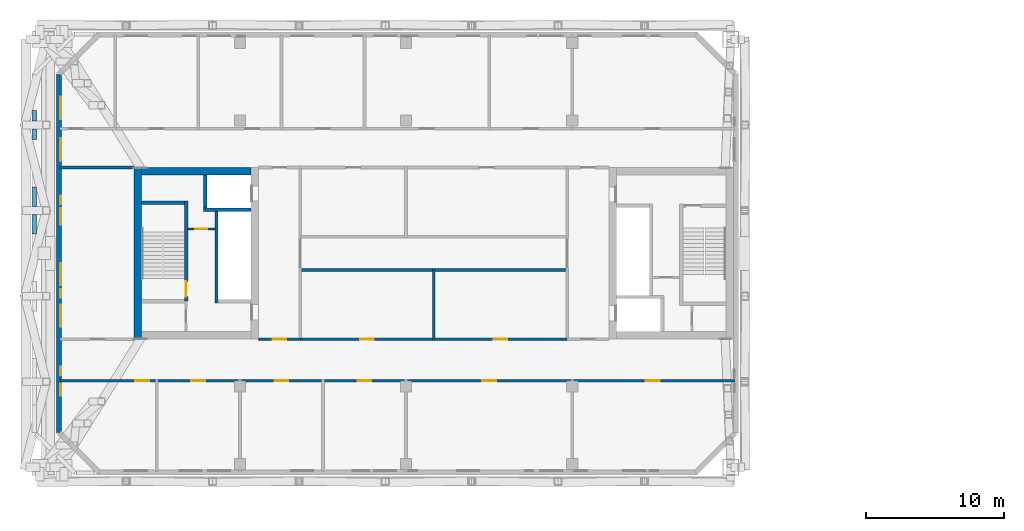
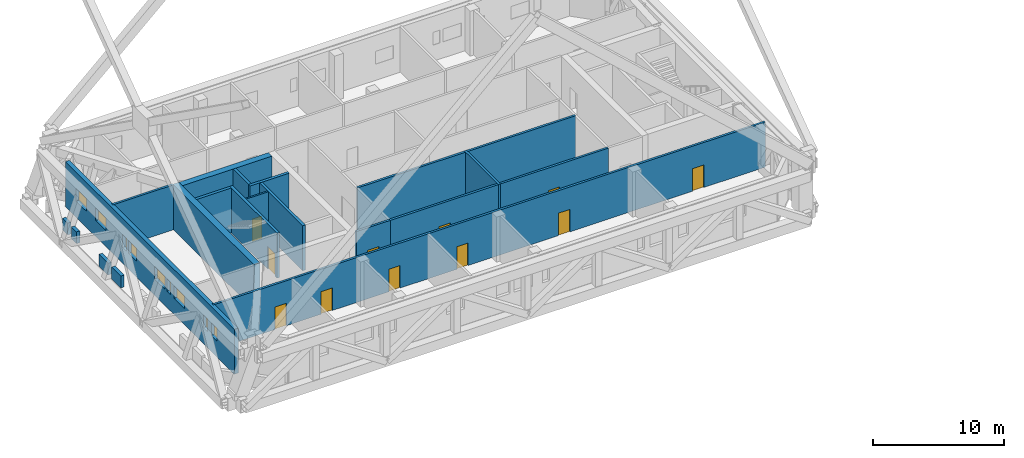
# One storey, part 8 of 22: 19 walls, 11 doors, 9 windows, 20 openings.
"""IFC4 building model written with IfcOpenShell, lengths in metres."""

from ifc_helpers import new_model, si_unit, direction, frame, frame_2d, origin, place, context, subcontext, project, spatial, rectangle, extrude, material, layer, layer_set, type_object, element, fill, save


model = new_model("IFC4")

# Units and contexts
model_context = context("Model", 3, precision=1e-05, world=origin(), true_north=direction((0.0, 1.0)))
body_context = subcontext(model_context, "Body", "Model", "MODEL_VIEW")
ifc_project = project(units=[si_unit("LENGTHUNIT", "METRE"), si_unit("AREAUNIT", "SQUARE_METRE"), si_unit("VOLUMEUNIT", "CUBIC_METRE"), si_unit("PLANEANGLEUNIT", "RADIAN"), si_unit("MASSUNIT", "GRAM", prefix="KILO")], contexts=[model_context])

# Site, building, storey
site_placement = place(None, origin())
site = spatial("IfcSite", under=ifc_project, at=site_placement, CompositionType="ELEMENT")
building_placement = place(site_placement, origin())
building = spatial("IfcBuilding", under=site, at=building_placement, Name="Tuart Gate Housing", CompositionType="ELEMENT")
storey_placement = place(building_placement, frame((0.0, 0.0, 115.0)))
storey = spatial("IfcBuildingStorey", under=building, at=storey_placement, Name="L32", CompositionType="ELEMENT", Elevation=115.0)

# Walls
ifc_material_1 = material(Name="Brick", Category="masonry")
ifc_layer_1 = layer(ifc_material_1, 0.300048828125)
ifc_layer_set_1 = layer_set([ifc_layer_1], Name="Brick parapet wall 300")
wall_type_1 = type_object("IfcWallType", Name="Brick parapet wall 300", PredefinedType="PARAPET", material=ifc_layer_set_1)
for number, where, z_axis, x_axis, name in (
    (1, (25.14990234375, 80.328369140625, 0.0), (0.0, 0.0, 1.0), (0.0, -1.0, 0.0), "Roof parapet A 3"),
    (2, (25.14990234375, 78.987060546875, 0.0), (0.0, 0.0, 1.0), (0.0, -1.0, 0.0), "Roof parapet A 3"),
):
    element("IfcWall", number, at=place(storey_placement, frame(where, z_axis=z_axis, x_axis=x_axis)), inside=storey, type_object=wall_type_1, Name=name, PredefinedType="PARAPET", context=body_context, shape_type="SweptSolid", body=[
        extrude(rectangle(XDim=0.775390625, YDim=0.300048828125, at=frame_2d((0.3876953125, 0.0))), origin(), (0.0, 0.0, 1.0), 1.10009765625),
    ])
for number, where, z_axis, x_axis, name in (
    (3, (25.14990234375, 74.776123046875, 0.0), (0.0, 0.0, 1.0), (0.0, -1.0, 0.0), "Roof parapet A 3"),
    (4, (25.14990234375, 72.806884765625, 0.0), (0.0, 0.0, 1.0), (0.0, -1.0, 0.0), "Roof parapet A 3"),
):
    element("IfcWall", number, at=place(storey_placement, frame(where, z_axis=z_axis, x_axis=x_axis)), inside=storey, type_object=wall_type_1, Name=name, PredefinedType="PARAPET", context=body_context, shape_type="SweptSolid", body=[
        extrude(rectangle(XDim=1.403076171875, YDim=0.300048828125, at=frame_2d((0.70166015625, 0.0))), origin(), (0.0, 0.0, 1.0), 1.10009765625),
    ])

# Wall, openings, windows
ifc_material_2 = material(Name="Brick", Category="masonry")
ifc_layer_2 = layer(ifc_material_2, 0.360107421875)
ifc_layer_set_2 = layer_set([ifc_layer_2], Name="Brick pier and spandrel wall 360")
wall_type_2 = type_object("IfcWallType", Name="Brick pier and spandrel wall 360", PredefinedType="STANDARD", material=ifc_layer_set_2)
wall_1_placement = place(storey_placement, frame((26.929931640625, 82.92529296875, 0.0), z_axis=(0.0, 0.0, 1.0), x_axis=(0.0, -1.0, 0.0)))
wall_1 = element("IfcWall", 5, at=wall_1_placement, inside=storey, type_object=wall_type_2, Name="External wall A-W L32", PredefinedType="STANDARD", context=body_context, shape_type="SweptSolid", body=[
    extrude(rectangle(XDim=25.850830078125, YDim=0.360107421875, at=frame_2d((12.92529296875, 0.0))), origin(), (0.0, 0.0, 1.0), 4.199951171875),
])
opening_1_placement = place(wall_1_placement, frame((1.62548828125, 0.0, 1.5)))
opening_1 = element("IfcOpeningElement", 6, at=opening_1_placement, cuts=wall_1, Name="Opening W3", PredefinedType="OPENING", context=body_context, shape_type="SweptSolid", body=[
    extrude(rectangle(XDim=1.60009765625, YDim=1.199951171875, at=frame_2d((0.800048828125, 0.60009765625))), frame((0.0, 0.18994140625, 0.0), z_axis=(0.0, -1.0, 0.0), x_axis=(1.0, 0.0, 0.0)), (0.0, 0.0, 1.0), 0.380126953125),
])
opening_2_placement = place(wall_1_placement, frame((4.62548828125, 0.0, 1.5)))
opening_2 = element("IfcOpeningElement", 7, at=opening_2_placement, cuts=wall_1, Name="Opening W3", PredefinedType="OPENING", context=body_context, shape_type="SweptSolid", body=[
    extrude(rectangle(XDim=1.60009765625, YDim=1.199951171875, at=frame_2d((0.800048828125, 0.60009765625))), frame((0.0, 0.18994140625, 0.0), z_axis=(0.0, -1.0, 0.0), x_axis=(1.0, 0.0, 0.0)), (0.0, 0.0, 1.0), 0.380126953125),
])
opening_3_placement = place(wall_1_placement, frame((8.775390625, 0.0, 1.5)))
opening_3 = element("IfcOpeningElement", 8, at=opening_3_placement, cuts=wall_1, Name="Opening W3C", PredefinedType="OPENING", context=body_context, shape_type="SweptSolid", body=[
    extrude(rectangle(XDim=0.60009765625, YDim=1.199951171875, at=frame_2d((0.300048828125, 0.60009765625))), frame((0.0, 0.18994140625, 0.0), z_axis=(0.0, -1.0, 0.0), x_axis=(1.0, 0.0, 0.0)), (0.0, 0.0, 1.0), 0.380126953125),
])
opening_4_placement = place(wall_1_placement, frame((9.67529296875, 0.0, 1.5)))
opening_4 = element("IfcOpeningElement", 9, at=opening_4_placement, cuts=wall_1, Name="Opening W3A", PredefinedType="OPENING", context=body_context, shape_type="SweptSolid", body=[
    extrude(rectangle(XDim=1.199951171875, YDim=1.199951171875, at=frame_2d((0.60009765625, 0.60009765625))), frame((0.0, 0.18994140625, 0.0), z_axis=(0.0, -1.0, 0.0), x_axis=(1.0, 0.0, 0.0)), (0.0, 0.0, 1.0), 0.380126953125),
])
opening_5_placement = place(wall_1_placement, frame((13.62548828125, 0.0, 1.5)))
opening_5 = element("IfcOpeningElement", 10, at=opening_5_placement, cuts=wall_1, Name="Opening W3", PredefinedType="OPENING", context=body_context, shape_type="SweptSolid", body=[
    extrude(rectangle(XDim=1.60009765625, YDim=1.199951171875, at=frame_2d((0.800048828125, 0.60009765625))), frame((0.0, 0.18994140625, 0.0), z_axis=(0.0, -1.0, 0.0), x_axis=(1.0, 0.0, 0.0)), (0.0, 0.0, 1.0), 0.380126953125),
])
opening_6_placement = place(wall_1_placement, frame((16.62548828125, 0.0, 1.5)))
opening_6 = element("IfcOpeningElement", 11, at=opening_6_placement, cuts=wall_1, Name="Opening W3", PredefinedType="OPENING", context=body_context, shape_type="SweptSolid", body=[
    extrude(rectangle(XDim=1.60009765625, YDim=1.199951171875, at=frame_2d((0.800048828125, 0.60009765625))), frame((0.0, 0.18994140625, 0.0), z_axis=(0.0, -1.0, 0.0), x_axis=(1.0, 0.0, 0.0)), (0.0, 0.0, 1.0), 0.380126953125),
])
opening_7_placement = place(wall_1_placement, frame((21.12548828125, 0.0, 1.5)))
opening_7 = element("IfcOpeningElement", 12, at=opening_7_placement, cuts=wall_1, Name="Opening W3C", PredefinedType="OPENING", context=body_context, shape_type="SweptSolid", body=[
    extrude(rectangle(XDim=0.60009765625, YDim=1.199951171875, at=frame_2d((0.300048828125, 0.60009765625))), frame((0.0, 0.18994140625, 0.0), z_axis=(0.0, -1.0, 0.0), x_axis=(1.0, 0.0, 0.0)), (0.0, 0.0, 1.0), 0.380126953125),
])
opening_8_placement = place(wall_1_placement, frame((22.325439453125, 0.0, 1.5)))
opening_8 = element("IfcOpeningElement", 13, at=opening_8_placement, cuts=wall_1, Name="Opening W3B", PredefinedType="OPENING", context=body_context, shape_type="SweptSolid", body=[
    extrude(rectangle(XDim=0.89990234375, YDim=1.199951171875, at=frame_2d((0.449951171875, 0.60009765625))), frame((0.0, 0.18994140625, 0.0), z_axis=(0.0, -1.0, 0.0), x_axis=(1.0, 0.0, 0.0)), (0.0, 0.0, 1.0), 0.380126953125),
])
opening_9_placement = place(wall_1_placement, frame((15.525390625, 0.0, 1.5)))
opening_9 = element("IfcOpeningElement", 14, at=opening_9_placement, cuts=wall_1, Name="Opening W3C", PredefinedType="OPENING", context=body_context, shape_type="SweptSolid", body=[
    extrude(rectangle(XDim=0.60009765625, YDim=1.199951171875, at=frame_2d((0.300048828125, 0.60009765625))), frame((0.0, 0.18994140625, 0.0), z_axis=(0.0, -1.0, 0.0), x_axis=(1.0, 0.0, 0.0)), (0.0, 0.0, 1.0), 0.380126953125),
])
ifc_material_3 = material(Name="Aluminium louvre blades", Category="aluminium")
window_type_1 = type_object("IfcWindowType", Name="Louvre window 1200 x 1200", PartitioningType="DOUBLE_PANEL_HORIZONTAL", PredefinedType="WINDOW", material=ifc_material_3)
window_1_placement = place(opening_4_placement, origin())
window_1 = element("IfcWindow", 15, at=window_1_placement, inside=storey, type_object=window_type_1, Name="Louvre W3A", OverallHeight=1.199951171875, OverallWidth=1.199951171875, PartitioningType="DOUBLE_PANEL_HORIZONTAL", PredefinedType="WINDOW", context=body_context, shape_type="SweptSolid", body=[
    extrude(rectangle(XDim=1.199951171875, YDim=1.199951171875, at=frame_2d((0.60009765625, 0.60009765625))), frame((0.0, 0.150146484375, 0.0), z_axis=(0.0, -1.0, 0.0), x_axis=(1.0, 0.0, 0.0)), (0.0, 0.0, 1.0), 0.06005859375),
])
fill(opening_4, window_1)
ifc_material_4 = material(Name="Aluminium louvre blades", Category="aluminium")
window_type_2 = type_object("IfcWindowType", Name="Louvre window 1600 x 1200", PartitioningType="DOUBLE_PANEL_HORIZONTAL", PredefinedType="WINDOW", material=ifc_material_4)
window_2_placement = place(opening_1_placement, origin())
window_2 = element("IfcWindow", 16, at=window_2_placement, inside=storey, type_object=window_type_2, Name="Louvre W3", OverallHeight=1.199951171875, OverallWidth=1.60009765625, PartitioningType="DOUBLE_PANEL_HORIZONTAL", PredefinedType="WINDOW", context=body_context, shape_type="SweptSolid", body=[
    extrude(rectangle(XDim=1.60009765625, YDim=1.199951171875, at=frame_2d((0.800048828125, 0.60009765625))), frame((0.0, 0.150146484375, 0.0), z_axis=(0.0, -1.0, 0.0), x_axis=(1.0, 0.0, 0.0)), (0.0, 0.0, 1.0), 0.06005859375),
])
fill(opening_1, window_2)
window_3_placement = place(opening_2_placement, origin())
window_3 = element("IfcWindow", 17, at=window_3_placement, inside=storey, type_object=window_type_2, Name="Louvre W3", OverallHeight=1.199951171875, OverallWidth=1.60009765625, PartitioningType="DOUBLE_PANEL_HORIZONTAL", PredefinedType="WINDOW", context=body_context, shape_type="SweptSolid", body=[
    extrude(rectangle(XDim=1.60009765625, YDim=1.199951171875, at=frame_2d((0.800048828125, 0.60009765625))), frame((0.0, 0.150146484375, 0.0), z_axis=(0.0, -1.0, 0.0), x_axis=(1.0, 0.0, 0.0)), (0.0, 0.0, 1.0), 0.06005859375),
])
fill(opening_2, window_3)
window_4_placement = place(opening_5_placement, origin())
window_4 = element("IfcWindow", 18, at=window_4_placement, inside=storey, type_object=window_type_2, Name="Louvre W3", OverallHeight=1.199951171875, OverallWidth=1.60009765625, PartitioningType="DOUBLE_PANEL_HORIZONTAL", PredefinedType="WINDOW", context=body_context, shape_type="SweptSolid", body=[
    extrude(rectangle(XDim=1.60009765625, YDim=1.199951171875, at=frame_2d((0.800048828125, 0.60009765625))), frame((0.0, 0.150146484375, 0.0), z_axis=(0.0, -1.0, 0.0), x_axis=(1.0, 0.0, 0.0)), (0.0, 0.0, 1.0), 0.06005859375),
])
fill(opening_5, window_4)
window_5_placement = place(opening_6_placement, origin())
window_5 = element("IfcWindow", 19, at=window_5_placement, inside=storey, type_object=window_type_2, Name="Louvre W3", OverallHeight=1.199951171875, OverallWidth=1.60009765625, PartitioningType="DOUBLE_PANEL_HORIZONTAL", PredefinedType="WINDOW", context=body_context, shape_type="SweptSolid", body=[
    extrude(rectangle(XDim=1.60009765625, YDim=1.199951171875, at=frame_2d((0.800048828125, 0.60009765625))), frame((0.0, 0.150146484375, 0.0), z_axis=(0.0, -1.0, 0.0), x_axis=(1.0, 0.0, 0.0)), (0.0, 0.0, 1.0), 0.06005859375),
])
fill(opening_6, window_5)
ifc_material_5 = material(Name="Aluminium louvre blades", Category="aluminium")
window_type_3 = type_object("IfcWindowType", Name="Louvre window 600 x 1200", PartitioningType="DOUBLE_PANEL_HORIZONTAL", PredefinedType="WINDOW", material=ifc_material_5)
window_6_placement = place(opening_3_placement, origin())
window_6 = element("IfcWindow", 20, at=window_6_placement, inside=storey, type_object=window_type_3, Name="Louvre W3C", OverallHeight=1.199951171875, OverallWidth=0.60009765625, PartitioningType="DOUBLE_PANEL_HORIZONTAL", PredefinedType="WINDOW", context=body_context, shape_type="SweptSolid", body=[
    extrude(rectangle(XDim=0.60009765625, YDim=1.199951171875, at=frame_2d((0.300048828125, 0.60009765625))), frame((0.0, 0.150146484375, 0.0), z_axis=(0.0, -1.0, 0.0), x_axis=(1.0, 0.0, 0.0)), (0.0, 0.0, 1.0), 0.06005859375),
])
fill(opening_3, window_6)
window_7_placement = place(opening_7_placement, origin())
window_7 = element("IfcWindow", 21, at=window_7_placement, inside=storey, type_object=window_type_3, Name="Louvre W3C", OverallHeight=1.199951171875, OverallWidth=0.60009765625, PartitioningType="DOUBLE_PANEL_HORIZONTAL", PredefinedType="WINDOW", context=body_context, shape_type="SweptSolid", body=[
    extrude(rectangle(XDim=0.60009765625, YDim=1.199951171875, at=frame_2d((0.300048828125, 0.60009765625))), frame((0.0, 0.150146484375, 0.0), z_axis=(0.0, -1.0, 0.0), x_axis=(1.0, 0.0, 0.0)), (0.0, 0.0, 1.0), 0.06005859375),
])
fill(opening_7, window_7)
window_8_placement = place(opening_9_placement, origin())
window_8 = element("IfcWindow", 22, at=window_8_placement, inside=storey, type_object=window_type_3, Name="Louvre W3C", OverallHeight=1.199951171875, OverallWidth=0.60009765625, PartitioningType="DOUBLE_PANEL_HORIZONTAL", PredefinedType="WINDOW", context=body_context, shape_type="SweptSolid", body=[
    extrude(rectangle(XDim=0.60009765625, YDim=1.199951171875, at=frame_2d((0.300048828125, 0.60009765625))), frame((0.0, 0.150146484375, 0.0), z_axis=(0.0, -1.0, 0.0), x_axis=(1.0, 0.0, 0.0)), (0.0, 0.0, 1.0), 0.06005859375),
])
fill(opening_9, window_8)
ifc_material_6 = material(Name="Aluminium louvre blades", Category="aluminium")
window_type_4 = type_object("IfcWindowType", Name="Louvre window 900 x 1200", PartitioningType="DOUBLE_PANEL_HORIZONTAL", PredefinedType="WINDOW", material=ifc_material_6)
window_9_placement = place(opening_8_placement, origin())
window_9 = element("IfcWindow", 23, at=window_9_placement, inside=storey, type_object=window_type_4, Name="Louvre W3B", OverallHeight=1.199951171875, OverallWidth=0.89990234375, PartitioningType="DOUBLE_PANEL_HORIZONTAL", PredefinedType="WINDOW", context=body_context, shape_type="SweptSolid", body=[
    extrude(rectangle(XDim=0.89990234375, YDim=1.199951171875, at=frame_2d((0.449951171875, 0.60009765625))), frame((0.0, 0.150146484375, 0.0), z_axis=(0.0, -1.0, 0.0), x_axis=(1.0, 0.0, 0.0)), (0.0, 0.0, 1.0), 0.06005859375),
])
fill(opening_8, window_9)

# Wall, opening, door
ifc_material_7 = material(Name="Plasterboard partition")
ifc_layer_3 = layer(ifc_material_7, 0.14990234375)
ifc_layer_set_3 = layer_set([ifc_layer_3], Name="Core partition 150")
wall_type_3 = type_object("IfcWallType", Name="Core partition 150", PredefinedType="PARTITIONING", material=ifc_layer_set_3)
wall_2_placement = place(storey_placement, frame((38.18505859375, 71.75, 0.0), z_axis=(0.0, 0.0, 1.0), x_axis=(-1.0, 0.0, 0.0)))
wall_2 = element("IfcWall", 24, at=wall_2_placement, inside=storey, type_object=wall_type_3, Name="Core partition AK.3", PredefinedType="PARTITIONING", context=body_context, shape_type="SweptSolid", body=[
    extrude(rectangle(XDim=1.949951171875, YDim=0.14990234375, at=frame_2d((0.97509765625, 0.0))), origin(), (0.0, 0.0, 1.0), 4.199951171875),
])
opening_10_placement = place(wall_2_placement, frame((0.550048828125, 0.0, 0.0)))
opening_10 = element("IfcOpeningElement", 25, at=opening_10_placement, cuts=wall_2, Name="Opening D3388", PredefinedType="OPENING", context=body_context, shape_type="SweptSolid", body=[
    extrude(rectangle(XDim=0.85009765625, YDim=2.10009765625, at=frame_2d((0.425048828125, 1.050048828125))), frame((0.0, 0.0849609375, 0.0), z_axis=(0.0, -1.0, 0.0), x_axis=(1.0, 0.0, 0.0)), (0.0, 0.0, 1.0), 0.169921875),
])
ifc_material_8 = material(Name="Steel fire door", Category="steel")
door_type_1 = type_object("IfcDoorType", Name="Riser door 850 x 2100 RH", OperationType="SINGLE_SWING_RIGHT", PredefinedType="DOOR", material=ifc_material_8)
door_1_placement = place(opening_10_placement, frame((0.85009765625, 0.0, 0.0), z_axis=(0.0, 0.0, 1.0), x_axis=(-1.0, 0.0, 0.0)))
door_1 = element("IfcDoor", 26, at=door_1_placement, inside=storey, type_object=door_type_1, Name="Service room door AK.E1", OperationType="SINGLE_SWING_RIGHT", OverallHeight=2.10009765625, OverallWidth=0.85009765625, PredefinedType="DOOR", context=body_context, shape_type="SweptSolid", body=[
    extrude(rectangle(XDim=0.85009765625, YDim=2.10009765625, at=frame_2d((0.425048828125, 1.050048828125))), frame((0.0, 0.025146484375, 0.0), z_axis=(0.0, -1.0, 0.0), x_axis=(1.0, 0.0, 0.0)), (0.0, 0.0, 1.0), 0.050048828125),
])
fill(opening_10, door_1)

# Walls
ifc_material_9 = material(Name="Concrete C50", Category="concrete")
ifc_layer_4 = layer(ifc_material_9, 0.25)
ifc_layer_set_4 = layer_set([ifc_layer_4], Name="Core wall 250 C50")
wall_type_4 = type_object("IfcWallType", Name="Core wall 250 C50", PredefinedType="SHEAR", material=ifc_layer_set_4)
wall_3_placement = place(storey_placement, frame((35.985107421875, 73.64990234375, 0.0), z_axis=(0.0, 0.0, 1.0), x_axis=(-1.0, 0.0, 0.0)))
element("IfcWall", 27, at=wall_3_placement, inside=storey, type_object=wall_type_4, Name="Core wall AK.1", PredefinedType="SHEAR", context=body_context, shape_type="SweptSolid", body=[
    extrude(rectangle(XDim=3.0751953125, YDim=0.25, at=frame_2d((1.53759765625, 0.0))), origin(), (0.0, 0.0, 1.0), 4.199951171875),
])
wall_4_placement = place(storey_placement, frame((40.81005859375, 73.14990234375, 0.0), z_axis=(0.0, 0.0, 1.0), x_axis=(-1.0, 0.0, 0.0)))
element("IfcWall", 28, at=wall_4_placement, inside=storey, type_object=wall_type_4, Name="Core wall AK.2", PredefinedType="SHEAR", context=body_context, shape_type="SweptSolid", body=[
    extrude(rectangle(XDim=3.445068359375, YDim=0.25, at=frame_2d((1.72265625, 0.0))), origin(), (0.0, 0.0, 1.0), 4.199951171875),
])
wall_5_placement = place(storey_placement, frame((38.31005859375, 73.02490234375, 0.0), z_axis=(0.0, 0.0, 1.0), x_axis=(0.0, -1.0, 0.0)))
element("IfcWall", 29, at=wall_5_placement, inside=storey, type_object=wall_type_4, Name="Core wall AK.6", PredefinedType="SHEAR", context=body_context, shape_type="SweptSolid", body=[
    extrude(rectangle(XDim=6.599853515625, YDim=0.25, at=frame_2d((3.2998046875, 0.0))), origin(), (0.0, 0.0, 1.0), 4.199951171875),
])
wall_6_placement = place(storey_placement, frame((37.489990234375, 75.64990234375, 0.0), z_axis=(0.0, 0.0, 1.0), x_axis=(0.0, -1.0, 0.0)))
element("IfcWall", 30, at=wall_6_placement, inside=storey, type_object=wall_type_4, Name="Core wall AK.7", PredefinedType="SHEAR", context=body_context, shape_type="SweptSolid", body=[
    extrude(rectangle(XDim=2.375, YDim=0.25, at=frame_2d((1.1875, 0.0))), origin(), (0.0, 0.0, 1.0), 4.199951171875),
])

# Wall, opening, door
wall_7_placement = place(storey_placement, frame((36.110107421875, 73.77490234375, 0.0), z_axis=(0.0, 0.0, 1.0), x_axis=(0.0, -1.0, 0.0)))
wall_7 = element("IfcWall", 31, at=wall_7_placement, inside=storey, type_object=wall_type_4, Name="Core wall AK.8", PredefinedType="SHEAR", context=body_context, shape_type="SweptSolid", body=[
    extrude(rectangle(XDim=7.224853515625, YDim=0.25, at=frame_2d((3.6123046875, 0.0))), origin(), (0.0, 0.0, 1.0), 4.199951171875),
])
opening_11_placement = place(wall_7_placement, frame((5.800048828125, 0.0, 0.0)))
opening_11 = element("IfcOpeningElement", 32, at=opening_11_placement, cuts=wall_7, Name="Opening D3389", PredefinedType="OPENING", context=body_context, shape_type="SweptSolid", body=[
    extrude(rectangle(XDim=1.10009765625, YDim=2.10009765625, at=frame_2d((0.550048828125, 1.050048828125))), frame((0.0, 0.135009765625, 0.0), z_axis=(0.0, -1.0, 0.0), x_axis=(1.0, 0.0, 0.0)), (0.0, 0.0, 1.0), 0.27001953125),
])
ifc_material_10 = material(Name="Steel fire door", Category="steel")
door_type_2 = type_object("IfcDoorType", Name="Stair door 1100 x 2100", OperationType="SINGLE_SWING_LEFT", PredefinedType="DOOR", material=ifc_material_10)
door_2_placement = place(opening_11_placement, frame((1.10009765625, 0.0, 0.0), z_axis=(0.0, 0.0, 1.0), x_axis=(-1.0, 0.0, 0.0)))
door_2 = element("IfcDoor", 33, at=door_2_placement, inside=storey, type_object=door_type_2, Name="Stair door AK.SD", OperationType="SINGLE_SWING_LEFT", OverallHeight=2.10009765625, OverallWidth=1.10009765625, PredefinedType="DOOR", context=body_context, shape_type="SweptSolid", body=[
    extrude(rectangle(XDim=1.10009765625, YDim=2.10009765625, at=frame_2d((0.550048828125, 1.050048828125))), frame((0.0, 0.025146484375, 0.0), z_axis=(0.0, -1.0, 0.0), x_axis=(1.0, 0.0, 0.0)), (0.0, 0.0, 1.0), 0.050048828125),
])
fill(opening_11, door_2)

# Walls
ifc_material_11 = material(Name="Concrete C50", Category="concrete")
ifc_layer_5 = layer(ifc_material_11, 0.550048828125)
ifc_layer_set_5 = layer_set([ifc_layer_5], Name="Core wall 550 C50")
wall_type_5 = type_object("IfcWallType", Name="Core wall 550 C50", PredefinedType="SHEAR", material=ifc_layer_set_5)
wall_8_placement = place(storey_placement, frame((32.635009765625, 76.199951171875, 0.0), z_axis=(0.0, 0.0, 1.0), x_axis=(0.0, -1.0, 0.0)))
element("IfcWall", 34, at=wall_8_placement, inside=storey, type_object=wall_type_5, Name="Core wall AK back", PredefinedType="SHEAR", context=body_context, shape_type="SweptSolid", body=[
    extrude(rectangle(XDim=12.39990234375, YDim=0.550048828125, at=frame_2d((6.199951171875, 0.0))), origin(), (0.0, 0.0, 1.0), 4.199951171875),
])
wall_9_placement = place(storey_placement, frame((40.81005859375, 75.925048828125, 0.0), z_axis=(0.0, 0.0, 1.0), x_axis=(-1.0, 0.0, 0.0)))
element("IfcWall", 35, at=wall_9_placement, inside=storey, type_object=wall_type_5, Name="Core wall AK south", PredefinedType="SHEAR", context=body_context, shape_type="SweptSolid", body=[
    extrude(rectangle(XDim=7.900146484375, YDim=0.550048828125, at=frame_2d((3.9501953125, 0.0))), origin(), (0.0, 0.0, 1.0), 4.199951171875),
])

# Wall, openings, doors
ifc_material_12 = material(Name="Concrete masonry 15 MPa", Category="masonry")
ifc_layer_6 = layer(ifc_material_12, 0.199951171875)
ifc_layer_set_6 = layer_set([ifc_layer_6], Name="Enclosure wall masonry 200")
wall_type_6 = type_object("IfcWallType", Name="Enclosure wall masonry 200", PredefinedType="PARTITIONING", material=ifc_layer_set_6)
wall_10_placement = place(storey_placement, frame((26.989990234375, 60.800048828125, 0.0), z_axis=(0.0, 0.0, 1.0), x_axis=(1.0, 0.0, 0.0)))
wall_10 = element("IfcWall", 36, at=wall_10_placement, inside=storey, type_object=wall_type_6, Name="Enclosure wall masonry 200", PredefinedType="PARTITIONING", context=body_context, shape_type="SweptSolid", body=[
    extrude(rectangle(XDim=48.77001953125, YDim=0.199951171875, at=frame_2d((24.385009765625, 0.0))), origin(), (0.0, 0.0, 1.0), 4.199951171875),
])
opening_12_placement = place(wall_10_placement, frame((5.465087890625, 0.0, 0.0)))
opening_12 = element("IfcOpeningElement", 37, at=opening_12_placement, cuts=wall_10, Name="Opening D3402", PredefinedType="OPENING", context=body_context, shape_type="SweptSolid", body=[
    extrude(rectangle(XDim=1.0, YDim=2.10009765625, at=frame_2d((0.5, 1.050048828125))), frame((0.0, 0.10986328125, 0.0), z_axis=(0.0, -1.0, 0.0), x_axis=(1.0, 0.0, 0.0)), (0.0, 0.0, 1.0), 0.219970703125),
])
opening_13_placement = place(wall_10_placement, frame((9.510009765625, 0.0, 0.0)))
opening_13 = element("IfcOpeningElement", 38, at=opening_13_placement, cuts=wall_10, Name="Opening D3403", PredefinedType="OPENING", context=body_context, shape_type="SweptSolid", body=[
    extrude(rectangle(XDim=1.0, YDim=2.10009765625, at=frame_2d((0.5, 1.050048828125))), frame((0.0, 0.10986328125, 0.0), z_axis=(0.0, -1.0, 0.0), x_axis=(1.0, 0.0, 0.0)), (0.0, 0.0, 1.0), 0.219970703125),
])
opening_14_placement = place(wall_10_placement, frame((15.510009765625, 0.0, 0.0)))
opening_14 = element("IfcOpeningElement", 39, at=opening_14_placement, cuts=wall_10, Name="Opening D3404", PredefinedType="OPENING", context=body_context, shape_type="SweptSolid", body=[
    extrude(rectangle(XDim=1.0, YDim=2.10009765625, at=frame_2d((0.5, 1.050048828125))), frame((0.0, 0.10986328125, 0.0), z_axis=(0.0, -1.0, 0.0), x_axis=(1.0, 0.0, 0.0)), (0.0, 0.0, 1.0), 0.219970703125),
])
opening_15_placement = place(wall_10_placement, frame((21.510009765625, 0.0, 0.0)))
opening_15 = element("IfcOpeningElement", 40, at=opening_15_placement, cuts=wall_10, Name="Opening D3405", PredefinedType="OPENING", context=body_context, shape_type="SweptSolid", body=[
    extrude(rectangle(XDim=1.0, YDim=2.10009765625, at=frame_2d((0.5, 1.050048828125))), frame((0.0, 0.10986328125, 0.0), z_axis=(0.0, -1.0, 0.0), x_axis=(1.0, 0.0, 0.0)), (0.0, 0.0, 1.0), 0.219970703125),
])
opening_16_placement = place(wall_10_placement, frame((30.510009765625, 0.0, 0.0)))
opening_16 = element("IfcOpeningElement", 41, at=opening_16_placement, cuts=wall_10, Name="Opening D3406", PredefinedType="OPENING", context=body_context, shape_type="SweptSolid", body=[
    extrude(rectangle(XDim=1.0, YDim=2.10009765625, at=frame_2d((0.5, 1.050048828125))), frame((0.0, 0.10986328125, 0.0), z_axis=(0.0, -1.0, 0.0), x_axis=(1.0, 0.0, 0.0)), (0.0, 0.0, 1.0), 0.219970703125),
])
opening_17_placement = place(wall_10_placement, frame((42.330078125, 0.0, 0.0)))
opening_17 = element("IfcOpeningElement", 42, at=opening_17_placement, cuts=wall_10, Name="Opening D3407", PredefinedType="OPENING", context=body_context, shape_type="SweptSolid", body=[
    extrude(rectangle(XDim=1.0, YDim=2.10009765625, at=frame_2d((0.5, 1.050048828125))), frame((0.0, 0.10986328125, 0.0), z_axis=(0.0, -1.0, 0.0), x_axis=(1.0, 0.0, 0.0)), (0.0, 0.0, 1.0), 0.219970703125),
])
ifc_material_13 = material(Name="Timber door leaf in steel frame", Category="steel")
door_type_3 = type_object("IfcDoorType", Name="Fire door 1000", OperationType="SINGLE_SWING_LEFT", PredefinedType="DOOR", material=ifc_material_13)
door_3_placement = place(opening_12_placement, frame((1.0, 0.0, 0.0), z_axis=(0.0, 0.0, 1.0), x_axis=(-1.0, 0.0, 0.0)))
door_3 = element("IfcDoor", 43, at=door_3_placement, inside=storey, type_object=door_type_3, Name="Fire door 1000", OperationType="SINGLE_SWING_LEFT", OverallHeight=2.10009765625, OverallWidth=1.0, PredefinedType="DOOR", context=body_context, shape_type="SweptSolid", body=[
    extrude(rectangle(XDim=1.0, YDim=2.10009765625, at=frame_2d((0.5, 1.050048828125))), frame((0.0, 0.025146484375, 0.0), z_axis=(0.0, -1.0, 0.0), x_axis=(1.0, 0.0, 0.0)), (0.0, 0.0, 1.0), 0.050048828125),
])
fill(opening_12, door_3)
ifc_material_14 = material(Name="Timber door leaf in steel frame", Category="steel")
door_type_4 = type_object("IfcDoorType", Name="Fire door 1000 RH", OperationType="SINGLE_SWING_RIGHT", PredefinedType="DOOR", material=ifc_material_14)
door_4_placement = place(opening_13_placement, frame((1.0, 0.0, 0.0), z_axis=(0.0, 0.0, 1.0), x_axis=(-1.0, 0.0, 0.0)))
door_4 = element("IfcDoor", 44, at=door_4_placement, inside=storey, type_object=door_type_4, Name="Fire door 1000", OperationType="SINGLE_SWING_RIGHT", OverallHeight=2.10009765625, OverallWidth=1.0, PredefinedType="DOOR", context=body_context, shape_type="SweptSolid", body=[
    extrude(rectangle(XDim=1.0, YDim=2.10009765625, at=frame_2d((0.5, 1.050048828125))), frame((0.0, 0.025146484375, 0.0), z_axis=(0.0, -1.0, 0.0), x_axis=(1.0, 0.0, 0.0)), (0.0, 0.0, 1.0), 0.050048828125),
])
fill(opening_13, door_4)
door_5_placement = place(opening_14_placement, frame((1.0, 0.0, 0.0), z_axis=(0.0, 0.0, 1.0), x_axis=(-1.0, 0.0, 0.0)))
door_5 = element("IfcDoor", 45, at=door_5_placement, inside=storey, type_object=door_type_4, Name="Fire door 1000", OperationType="SINGLE_SWING_RIGHT", OverallHeight=2.10009765625, OverallWidth=1.0, PredefinedType="DOOR", context=body_context, shape_type="SweptSolid", body=[
    extrude(rectangle(XDim=1.0, YDim=2.10009765625, at=frame_2d((0.5, 1.050048828125))), frame((0.0, 0.025146484375, 0.0), z_axis=(0.0, -1.0, 0.0), x_axis=(1.0, 0.0, 0.0)), (0.0, 0.0, 1.0), 0.050048828125),
])
fill(opening_14, door_5)
door_6_placement = place(opening_15_placement, frame((1.0, 0.0, 0.0), z_axis=(0.0, 0.0, 1.0), x_axis=(-1.0, 0.0, 0.0)))
door_6 = element("IfcDoor", 46, at=door_6_placement, inside=storey, type_object=door_type_4, Name="Fire door 1000", OperationType="SINGLE_SWING_RIGHT", OverallHeight=2.10009765625, OverallWidth=1.0, PredefinedType="DOOR", context=body_context, shape_type="SweptSolid", body=[
    extrude(rectangle(XDim=1.0, YDim=2.10009765625, at=frame_2d((0.5, 1.050048828125))), frame((0.0, 0.025146484375, 0.0), z_axis=(0.0, -1.0, 0.0), x_axis=(1.0, 0.0, 0.0)), (0.0, 0.0, 1.0), 0.050048828125),
])
fill(opening_15, door_6)
door_7_placement = place(opening_16_placement, frame((1.0, 0.0, 0.0), z_axis=(0.0, 0.0, 1.0), x_axis=(-1.0, 0.0, 0.0)))
door_7 = element("IfcDoor", 47, at=door_7_placement, inside=storey, type_object=door_type_4, Name="Fire door 1000", OperationType="SINGLE_SWING_RIGHT", OverallHeight=2.10009765625, OverallWidth=1.0, PredefinedType="DOOR", context=body_context, shape_type="SweptSolid", body=[
    extrude(rectangle(XDim=1.0, YDim=2.10009765625, at=frame_2d((0.5, 1.050048828125))), frame((0.0, 0.025146484375, 0.0), z_axis=(0.0, -1.0, 0.0), x_axis=(1.0, 0.0, 0.0)), (0.0, 0.0, 1.0), 0.050048828125),
])
fill(opening_16, door_7)
door_8_placement = place(opening_17_placement, frame((1.0, 0.0, 0.0), z_axis=(0.0, 0.0, 1.0), x_axis=(-1.0, 0.0, 0.0)))
door_8 = element("IfcDoor", 48, at=door_8_placement, inside=storey, type_object=door_type_4, Name="Fire door 1000", OperationType="SINGLE_SWING_RIGHT", OverallHeight=2.10009765625, OverallWidth=1.0, PredefinedType="DOOR", context=body_context, shape_type="SweptSolid", body=[
    extrude(rectangle(XDim=1.0, YDim=2.10009765625, at=frame_2d((0.5, 1.050048828125))), frame((0.0, 0.025146484375, 0.0), z_axis=(0.0, -1.0, 0.0), x_axis=(1.0, 0.0, 0.0)), (0.0, 0.0, 1.0), 0.050048828125),
])
fill(opening_17, door_8)

wall_11_placement = place(storey_placement, frame((44.360107421875, 63.800048828125, 0.0), z_axis=(0.0, 0.0, 1.0), x_axis=(1.0, 0.0, 0.0)))
wall_11 = element("IfcWall", 49, at=wall_11_placement, inside=storey, type_object=wall_type_6, Name="Enclosure wall masonry 200", PredefinedType="PARTITIONING", context=body_context, shape_type="SweptSolid", body=[
    extrude(rectangle(XDim=19.27978515625, YDim=0.199951171875, at=frame_2d((9.639892578125, 0.0))), origin(), (0.0, 0.0, 1.0), 4.199951171875),
])
opening_18_placement = place(wall_11_placement, frame((4.320068359375, 0.0, 0.0)))
opening_18 = element("IfcOpeningElement", 50, at=opening_18_placement, cuts=wall_11, Name="Opening D3399", PredefinedType="OPENING", context=body_context, shape_type="SweptSolid", body=[
    extrude(rectangle(XDim=1.0, YDim=2.10009765625, at=frame_2d((0.5, 1.050048828125))), frame((0.0, 0.10986328125, 0.0), z_axis=(0.0, -1.0, 0.0), x_axis=(1.0, 0.0, 0.0)), (0.0, 0.0, 1.0), 0.219970703125),
])
opening_19_placement = place(wall_11_placement, frame((13.9599609375, 0.0, 0.0)))
opening_19 = element("IfcOpeningElement", 51, at=opening_19_placement, cuts=wall_11, Name="Opening D3400", PredefinedType="OPENING", context=body_context, shape_type="SweptSolid", body=[
    extrude(rectangle(XDim=1.0, YDim=2.10009765625, at=frame_2d((0.5, 1.050048828125))), frame((0.0, 0.10986328125, 0.0), z_axis=(0.0, -1.0, 0.0), x_axis=(1.0, 0.0, 0.0)), (0.0, 0.0, 1.0), 0.219970703125),
])
door_9_placement = place(opening_18_placement, origin())
door_9 = element("IfcDoor", 52, at=door_9_placement, inside=storey, type_object=door_type_3, Name="Fire door 1000", OperationType="SINGLE_SWING_LEFT", OverallHeight=2.10009765625, OverallWidth=1.0, PredefinedType="DOOR", context=body_context, shape_type="SweptSolid", body=[
    extrude(rectangle(XDim=1.0, YDim=2.10009765625, at=frame_2d((0.5, 1.050048828125))), frame((0.0, 0.02490234375, 0.0), z_axis=(0.0, -1.0, 0.0), x_axis=(1.0, 0.0, 0.0)), (0.0, 0.0, 1.0), 0.050048828125),
])
fill(opening_18, door_9)
door_10_placement = place(opening_19_placement, origin())
door_10 = element("IfcDoor", 53, at=door_10_placement, inside=storey, type_object=door_type_3, Name="Fire door 1000", OperationType="SINGLE_SWING_LEFT", OverallHeight=2.10009765625, OverallWidth=1.0, PredefinedType="DOOR", context=body_context, shape_type="SweptSolid", body=[
    extrude(rectangle(XDim=1.0, YDim=2.10009765625, at=frame_2d((0.5, 1.050048828125))), frame((0.0, 0.02490234375, 0.0), z_axis=(0.0, -1.0, 0.0), x_axis=(1.0, 0.0, 0.0)), (0.0, 0.0, 1.0), 0.050048828125),
])
fill(opening_19, door_10)

# Wall, opening, door
wall_12_placement = place(storey_placement, frame((41.360107421875, 63.800048828125, 0.0), z_axis=(0.0, 0.0, 1.0), x_axis=(1.0, 0.0, 0.0)))
wall_12 = element("IfcWall", 54, at=wall_12_placement, inside=storey, type_object=wall_type_6, Name="Enclosure wall masonry 200", PredefinedType="PARTITIONING", context=body_context, shape_type="SweptSolid", body=[
    extrude(rectangle(XDim=3.0, YDim=0.199951171875, at=frame_2d((1.5, 0.0))), origin(), (0.0, 0.0, 1.0), 4.199951171875),
])
opening_20_placement = place(wall_12_placement, frame((1.0, 0.0, 0.0)))
opening_20 = element("IfcOpeningElement", 55, at=opening_20_placement, cuts=wall_12, Name="Opening D3398", PredefinedType="OPENING", context=body_context, shape_type="SweptSolid", body=[
    extrude(rectangle(XDim=1.0, YDim=2.10009765625, at=frame_2d((0.5, 1.050048828125))), frame((0.0, 0.10986328125, 0.0), z_axis=(0.0, -1.0, 0.0), x_axis=(1.0, 0.0, 0.0)), (0.0, 0.0, 1.0), 0.219970703125),
])
ifc_material_15 = material(Name="Timber door leaf in steel frame", Category="steel")
door_type_5 = type_object("IfcDoorType", Name="Lobby door 1000 RH", OperationType="SINGLE_SWING_RIGHT", PredefinedType="DOOR", material=ifc_material_15)
door_11_placement = place(opening_20_placement, origin())
door_11 = element("IfcDoor", 56, at=door_11_placement, inside=storey, type_object=door_type_5, Name="Lobby door 1000", OperationType="SINGLE_SWING_RIGHT", OverallHeight=2.10009765625, OverallWidth=1.0, PredefinedType="DOOR", context=body_context, shape_type="SweptSolid", body=[
    extrude(rectangle(XDim=1.0, YDim=2.10009765625, at=frame_2d((0.5, 1.050048828125))), frame((0.0, 0.02490234375, 0.0), z_axis=(0.0, -1.0, 0.0), x_axis=(1.0, 0.0, 0.0)), (0.0, 0.0, 1.0), 0.050048828125),
])
fill(opening_20, door_11)

# Walls
wall_13_placement = place(storey_placement, frame((44.360107421875, 68.800048828125, 0.0), z_axis=(0.0, 0.0, 1.0), x_axis=(1.0, 0.0, 0.0)))
element("IfcWall", 57, at=wall_13_placement, inside=storey, type_object=wall_type_6, Name="Enclosure wall masonry 200", PredefinedType="PARTITIONING", context=body_context, shape_type="SweptSolid", body=[
    extrude(rectangle(XDim=19.27978515625, YDim=0.199951171875, at=frame_2d((9.639892578125, 0.0))), origin(), (0.0, 0.0, 1.0), 4.199951171875),
])
wall_14_placement = place(storey_placement, frame((26.989990234375, 76.199951171875, 0.0), z_axis=(0.0, 0.0, 1.0), x_axis=(1.0, 0.0, 0.0)))
element("IfcWall", 58, at=wall_14_placement, inside=storey, type_object=wall_type_6, Name="Enclosure wall masonry 200", PredefinedType="PARTITIONING", context=body_context, shape_type="SweptSolid", body=[
    extrude(rectangle(XDim=5.3701171875, YDim=0.199951171875, at=frame_2d((2.68505859375, 0.0))), origin(), (0.0, 0.0, 1.0), 4.199951171875),
])
wall_15_placement = place(storey_placement, frame((54.0, 63.699951171875, 0.0), z_axis=(0.0, 0.0, 1.0), x_axis=(0.0, 1.0, 0.0)))
element("IfcWall", 59, at=wall_15_placement, inside=storey, type_object=wall_type_6, Name="Enclosure wall masonry 200", PredefinedType="PARTITIONING", context=body_context, shape_type="SweptSolid", body=[
    extrude(rectangle(XDim=5.199951171875, YDim=0.199951171875, at=frame_2d((2.60009765625, 0.0))), origin(), (0.0, 0.0, 1.0), 4.199951171875),
])

save(model, "model.ifc")
